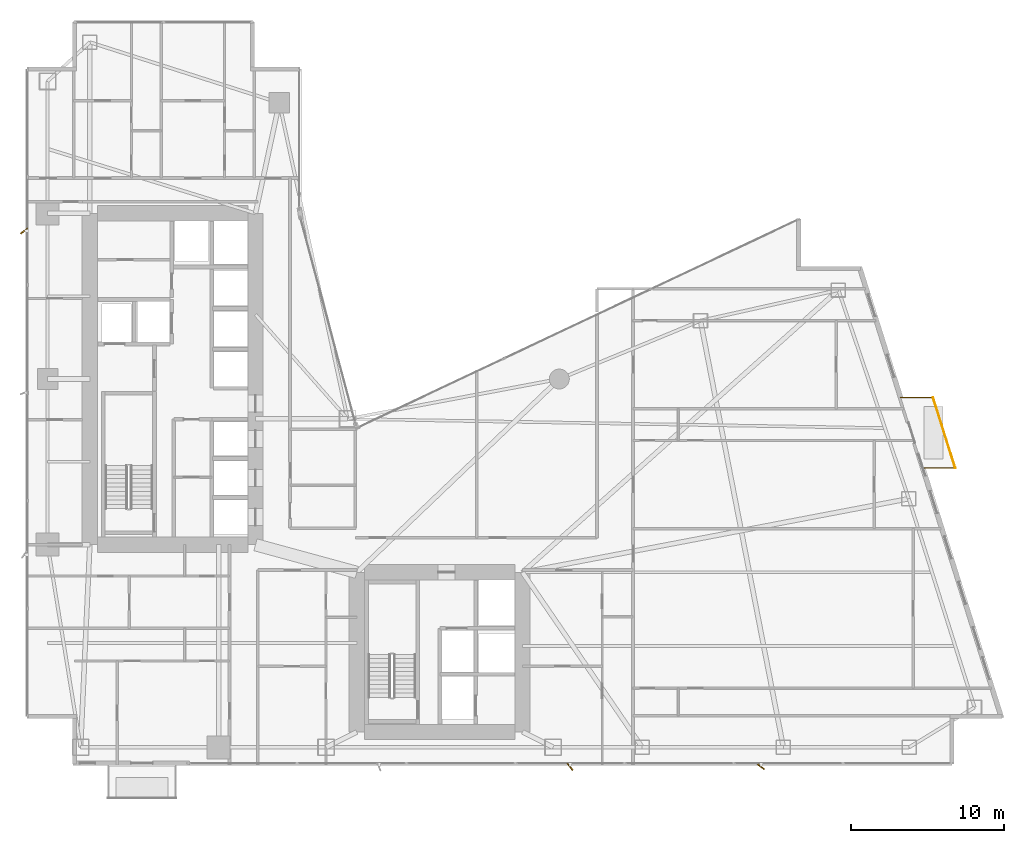
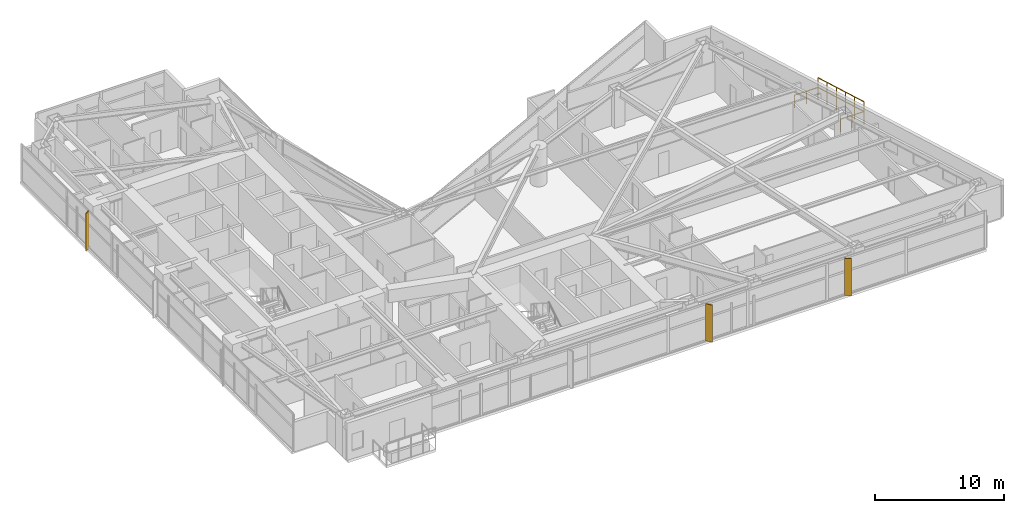
# One storey, part 28 of 28: 3 shading devices, 2 railings.
"""IFC4 building model written with IfcOpenShell, lengths in metres."""

import ifcopenshell
import ifcopenshell.guid

model = None  # the IFC model being written
_history = None  # IfcOwnerHistory: only IFC2X3 demands one
_inside = {}  # id of a spatial element -> (the spatial element, [elements in it])
_under = {}  # id of a project, library or spatial element -> (it, [spatial elements below it])
_declared = {}  # id of a project -> (the project, [libraries it declares])
_typed = {}  # id of a type object -> (the type object, [elements of that type])
_made_of = {}  # id of a material, layer set ... -> (it, [elements and type objects made of it])


def new_model(schema):
    """Start an empty IFC model of exactly this schema.

    Asked for "IFC4X3", IfcOpenShell would pick the latest addendum, in which some entities
    have other attributes; the version numbers below select the first issue.
    IFC2X3 requires an IfcOwnerHistory on every rooted entity: one is made here for all.
    """
    global model, _history
    if schema == "IFC4X3":
        model = ifcopenshell.file(schema_version=(4, 3, 0, 0))
    else:
        model = ifcopenshell.file(schema=schema)
    _inside.clear()
    _under.clear()
    _declared.clear()
    _typed.clear()
    _made_of.clear()
    _history = None
    if model.schema == "IFC2X3":
        org = make("IfcOrganization", Name="unknown")
        user = make(
            "IfcPersonAndOrganization",
            ThePerson=make("IfcPerson", FamilyName="unknown"),
            TheOrganization=org,
        )
        app = make(
            "IfcApplication",
            ApplicationDeveloper=org,
            Version="unknown",
            ApplicationFullName="unknown",
            ApplicationIdentifier="unknown",
        )
        _history = make(
            "IfcOwnerHistory",
            OwningUser=user,
            OwningApplication=app,
            ChangeAction="ADDED",
            CreationDate=0,
        )
    return model


def make(cls, **values):
    """One entity of the class cls with the attributes given. An attribute that is None is left unset."""
    return model.create_entity(
        cls, **{name: value for name, value in values.items() if value is not None}
    )


def rooted(cls, **values):
    """An entity with a GlobalId (a new one), such as an element, a storey or a relation."""
    return make(cls, GlobalId=ifcopenshell.guid.new(), OwnerHistory=_history, **values)


def si_unit(unit_type, name, prefix=None):
    """IfcSIUnit, for example si_unit("LENGTHUNIT", "METRE", prefix="MILLI")."""
    return make("IfcSIUnit", UnitType=unit_type, Prefix=prefix, Name=name)


def assignment(units):
    """IfcUnitAssignment: the units of a project."""
    return None if units is None else make("IfcUnitAssignment", Units=units)


def point(xyz):
    """IfcCartesianPoint."""
    return None if xyz is None else make("IfcCartesianPoint", Coordinates=xyz)


def direction(xyz):
    """IfcDirection."""
    return None if xyz is None else make("IfcDirection", DirectionRatios=xyz)


def frame(location, z_axis=None, x_axis=None):
    """IfcAxis2Placement3D, a coordinate frame: its origin and axes. An axis left out is left unset."""
    return make(
        "IfcAxis2Placement3D",
        Location=point(location),
        Axis=direction(z_axis),
        RefDirection=direction(x_axis),
    )


def frame_2d(location, x_axis=None):
    """IfcAxis2Placement2D, a coordinate frame in the plane: its origin and x axis."""
    return make(
        "IfcAxis2Placement2D", Location=point(location), RefDirection=direction(x_axis)
    )


def origin():
    """The frame at (0, 0, 0) with its axes left unset."""
    return frame((0.0, 0.0, 0.0))


def origin_2d():
    """The frame at (0, 0) in the plane with its x axis left unset."""
    return frame_2d((0.0, 0.0))


def place(relative_to, where):
    """IfcLocalPlacement: puts the frame where relative to a parent placement (None: the world)."""
    return make(
        "IfcLocalPlacement", PlacementRelTo=relative_to, RelativePlacement=where
    )


def context(
    kind, dimensions, precision=None, world=None, true_north=None, identifier=None
):
    """IfcGeometricRepresentationContext, for example the 3D "Model" context."""
    return make(
        "IfcGeometricRepresentationContext",
        ContextIdentifier=identifier,
        ContextType=kind,
        CoordinateSpaceDimension=dimensions,
        Precision=precision,
        WorldCoordinateSystem=world,
        TrueNorth=true_north,
    )


def subcontext(parent, identifier, kind, view, scale=None):
    """IfcGeometricRepresentationSubContext, for example "Body" below "Model"."""
    return make(
        "IfcGeometricRepresentationSubContext",
        ContextIdentifier=identifier,
        ContextType=kind,
        ParentContext=parent,
        TargetScale=scale,
        TargetView=view,
    )


def project(units=None, contexts=None):
    """IfcProject with its units and contexts."""
    return rooted(
        "IfcProject",
        Name="project",
        RepresentationContexts=contexts,
        UnitsInContext=assignment(units),
    )


def spatial(cls, under=None, at=None, **own):
    """A site, building, storey or space (cls), placed at a placement, below another one or the project."""
    s = rooted(cls, ObjectPlacement=at, **own)
    if under is not None:
        _under.setdefault(under.id(), (under, []))[1].append(s)
    return s


def profile(cls, at=None, kind="AREA", **sizes):
    """A parametric profile (cls). Its sizes go by their IFC names, for example OverallWidth=200.0."""
    return make(cls, ProfileType=kind, Position=at, **sizes)


def rectangle(**sizes):
    """IfcRectangleProfileDef."""
    return profile("IfcRectangleProfileDef", **sizes)


def circle(**sizes):
    """IfcCircleProfileDef."""
    return profile("IfcCircleProfileDef", **sizes)


def extrude(swept, where, along, depth):
    """IfcExtrudedAreaSolid: the profile swept, set in the frame where, extruded along a direction by depth."""
    return make(
        "IfcExtrudedAreaSolid",
        SweptArea=swept,
        Position=where,
        ExtrudedDirection=direction(along),
        Depth=depth,
    )


def shape(context_of_items, identifier, shape_type, items):
    """IfcShapeRepresentation: the items that make up one representation, for example the "Body"."""
    return make(
        "IfcShapeRepresentation",
        ContextOfItems=context_of_items,
        RepresentationIdentifier=identifier,
        RepresentationType=shape_type,
        Items=items,
    )


def material(Name=None, Category=None):
    """IfcMaterial."""
    return make("IfcMaterial", Name=Name, Category=Category)


def made_of(thing, what):
    """Note that an element or type object is made of a material, layer set ...; save() writes the relation."""
    if what is not None:
        _made_of.setdefault(what.id(), (what, []))[1].append(thing)
    return thing


def type_object(cls, material=None, **own):
    """A type object (cls), such as IfcWallType, which elements share."""
    return made_of(rooted(cls, **own), material)


def element(
    cls,
    number,
    at=None,
    inside=None,
    cuts=None,
    type_object=None,
    material=None,
    context=None,
    identifier="Body",
    shape_type=None,
    held_by="IfcProductDefinitionShape",
    body=None,
    shapes=None,
    **own,
):
    """One element of the class cls, such as IfcWall. Its Tag is "e" and its number.

    at: its placement. inside: the storey or other place that contains it. cuts: it is an
    opening in that element (IfcRelVoidsElement). A single representation is given by context,
    identifier, shape_type and body (its items); several are given by shapes. held_by: the class
    of the entity that holds the representations. save() writes the other relations.
    """
    e = rooted(cls, Tag="e%d" % number, ObjectPlacement=at, **own)
    if body is not None:
        shapes = [shape(context, identifier, shape_type, body)]
    if shapes is not None:
        e.Representation = make(held_by, Representations=shapes)
    if inside is not None:
        _inside.setdefault(inside.id(), (inside, []))[1].append(e)
    if cuts is not None:
        rooted(
            "IfcRelVoidsElement", RelatingBuildingElement=cuts, RelatedOpeningElement=e
        )
    if type_object is not None:
        _typed.setdefault(type_object.id(), (type_object, []))[1].append(e)
    return made_of(e, material)


def aggregate(whole, parts):
    """IfcRelAggregates: a whole, such as a stair, and the parts it consists of."""
    return rooted("IfcRelAggregates", RelatingObject=whole, RelatedObjects=parts)


def save(model, path):
    """Write the relations noted so far, then the file.

    IfcRelAggregates (storeys below a building ...), IfcRelContainedInSpatialStructure (elements
    in a storey), IfcRelDefinesByType, IfcRelAssociatesMaterial and IfcRelDeclares: one each for
    every whole, place, type object, material and project.
    """
    for whole, parts in _under.values():
        aggregate(whole, parts)
    for where, things in _inside.values():
        rooted(
            "IfcRelContainedInSpatialStructure",
            RelatedElements=things,
            RelatingStructure=where,
        )
    for kind, things in _typed.values():
        rooted("IfcRelDefinesByType", RelatedObjects=things, RelatingType=kind)
    for what, things in _made_of.values():
        rooted("IfcRelAssociatesMaterial", RelatedObjects=things, RelatingMaterial=what)
    for by, libraries in _declared.values():
        rooted("IfcRelDeclares", RelatingContext=by, RelatedDefinitions=libraries)
    model.write(path)


model = new_model("IFC4")

# Units and contexts
model_context = context("Model", 3, precision=1e-05, world=origin(), true_north=direction((0.0, 1.0)))
body_context = subcontext(model_context, "Body", "Model", "MODEL_VIEW")
ifc_project = project(units=[si_unit("LENGTHUNIT", "METRE"), si_unit("AREAUNIT", "SQUARE_METRE"), si_unit("VOLUMEUNIT", "CUBIC_METRE"), si_unit("PLANEANGLEUNIT", "RADIAN"), si_unit("MASSUNIT", "GRAM", prefix="KILO")], contexts=[model_context])

# Site, building, storey
site_placement = place(None, origin())
site = spatial("IfcSite", under=ifc_project, at=site_placement, CompositionType="ELEMENT")
building_placement = place(site_placement, origin())
building = spatial("IfcBuilding", under=site, at=building_placement, Name="Calvorn Quay Hotel", CompositionType="ELEMENT")
storey_placement = place(building_placement, frame((0.0, 0.0, 42.199951171875)))
storey = spatial("IfcBuildingStorey", under=building, at=storey_placement, Name="L09", CompositionType="ELEMENT", Elevation=42.199951171875)

# Railings
ifc_material_1 = material(Name="Pale Anodised Aluminium and Laminated Glass", Category="aluminium")
railing_type = type_object("IfcRailingType", Name="RLG-BALUSTRADE-1200", PredefinedType="BALUSTRADE", material=ifc_material_1)
railing_1_placement = place(storey_placement, frame((58.506103515625, 21.800048828125, 0.0)))
element("IfcRailing", 1, at=railing_1_placement, inside=storey, type_object=railing_type, Name="Tree Balcony Perimeter Balustrade L09-BALC-E", PredefinedType="BALUSTRADE", context=body_context, shape_type="SweptSolid", body=[
    extrude(circle(Radius=0.02392578125, at=origin_2d()), frame((0.0, 0.0, 1.17578125), z_axis=(1.0, 0.0, 0.0), x_axis=(0.0, 1.0, 0.0)), (0.0, 0.0, 1.0), 2.099853515625),
    extrude(circle(Radius=0.02392578125, at=origin_2d()), frame((2.099853515625, 0.0, 1.17578125), z_axis=(-0.300450487966, 0.953797412599, 0.0), x_axis=(-0.953797412599, -0.300450487966, 0.0)), (0.0, 0.0, 1.0), 4.82275390625),
    extrude(circle(Radius=0.02392578125, at=origin_2d()), frame((0.65087890625, 4.599853515625, 1.17578125), z_axis=(-1.0, 0.0, 0.0), x_axis=(0.0, -1.0, 0.0)), (0.0, 0.0, 1.0), 2.10009765625),
    extrude(circle(Radius=0.02099609375, at=origin_2d()), origin(), (0.0, 0.0, 1.0), 1.15185546875),
    extrude(circle(Radius=0.02099609375, at=origin_2d()), frame((1.0498046875, 0.0, 0.0)), (0.0, 0.0, 1.0), 1.15185546875),
    extrude(circle(Radius=0.02099609375, at=origin_2d()), frame((2.099853515625, 0.0, 0.0)), (0.0, 0.0, 1.0), 1.15185546875),
    extrude(circle(Radius=0.02099609375, at=origin_2d()), frame((1.81005859375, 0.919921875, 0.0)), (0.0, 0.0, 1.0), 1.15185546875),
    extrude(circle(Radius=0.02099609375, at=origin_2d()), frame((1.520263671875, 1.83984375, 0.0)), (0.0, 0.0, 1.0), 1.15185546875),
    extrude(circle(Radius=0.02099609375, at=origin_2d()), frame((1.23046875, 2.760009765625, 0.0)), (0.0, 0.0, 1.0), 1.15185546875),
    extrude(circle(Radius=0.02099609375, at=origin_2d()), frame((0.940673828125, 3.679931640625, 0.0)), (0.0, 0.0, 1.0), 1.15185546875),
    extrude(circle(Radius=0.02099609375, at=origin_2d()), frame((0.65087890625, 4.599853515625, 0.0)), (0.0, 0.0, 1.0), 1.15185546875),
    extrude(circle(Radius=0.02099609375, at=origin_2d()), frame((-0.399169921875, 4.599853515625, 0.0)), (0.0, 0.0, 1.0), 1.15185546875),
    extrude(circle(Radius=0.02099609375, at=origin_2d()), frame((-1.44921875, 4.599853515625, 0.0)), (0.0, 0.0, 1.0), 1.15185546875),
])
railing_2_placement = place(storey_placement, frame((60.60595703125, 21.800048828125, 0.900146484375)))
element("IfcRailing", 2, at=railing_2_placement, inside=storey, type_object=railing_type, Name="Planter Kerb High Safety Screen L09-BALC-E", PredefinedType="BALUSTRADE", context=body_context, shape_type="SweptSolid", body=[
    extrude(circle(Radius=0.02392578125, at=origin_2d()), frame((0.0, 0.0, 1.19580078125), z_axis=(-0.300450487966, 0.953797412599, 0.0), x_axis=(-0.953797412599, -0.300450487966, 0.0)), (0.0, 0.0, 1.0), 4.82275390625),
    extrude(circle(Radius=0.02099609375, at=origin_2d()), origin(), (0.0, 0.0, 1.0), 1.171875),
    extrude(circle(Radius=0.02099609375, at=origin_2d()), frame((-0.289794921875, 0.919921875, 0.0)), (0.0, 0.0, 1.0), 1.171875),
    extrude(circle(Radius=0.02099609375, at=origin_2d()), frame((-0.57958984375, 1.83984375, 0.0)), (0.0, 0.0, 1.0), 1.171875),
    extrude(circle(Radius=0.02099609375, at=origin_2d()), frame((-0.869384765625, 2.760009765625, 0.0)), (0.0, 0.0, 1.0), 1.171875),
    extrude(circle(Radius=0.02099609375, at=origin_2d()), frame((-1.1591796875, 3.679931640625, 0.0)), (0.0, 0.0, 1.0), 1.171875),
    extrude(circle(Radius=0.02099609375, at=origin_2d()), frame((-1.448974609375, 4.599853515625, 0.0)), (0.0, 0.0, 1.0), 1.171875),
])

# Shading devices
ifc_material_2 = material(Name="Champagne Bronze Anodised Aluminium 6063-T6", Category="aluminium")
shading_device_type_1 = type_object("IfcShadingDeviceType", Name="SHD-FIN-A2", PredefinedType="USERDEFINED", material=ifc_material_2)
for number, where, z_axis, x_axis, name in (
    (3, (-0.080078125, 37.25, 0.0), (0.0, 0.0, 1.0), (0.788010753607, 0.615661475326, 0.0), "Diagonal Sun-Shading Fin L09-W03"),
    (4, (35.5, 2.320068359375, 0.0), (0.0, 0.0, 1.0), (-0.615661475326, 0.788010753607, 0.0), "Diagonal Sun-Shading Fin L09-S02"),
):
    element("IfcShadingDevice", number, at=place(storey_placement, frame(where, z_axis=z_axis, x_axis=x_axis)), inside=storey, type_object=shading_device_type_1, Name=name, ObjectType="FIN", PredefinedType="USERDEFINED", context=body_context, shape_type="SweptSolid", body=[
        extrude(rectangle(XDim=0.550048828125, YDim=0.080078125, at=origin_2d()), origin(), (0.0, 0.0, 1.0), 3.52001953125),
    ])
ifc_material_3 = material(Name="Champagne Bronze Anodised Aluminium 6063-T6", Category="aluminium")
shading_device_type_2 = type_object("IfcShadingDeviceType", Name="SHD-FIN-A3", PredefinedType="USERDEFINED", material=ifc_material_3)
shading_device_placement = place(storey_placement, frame((47.949951171875, 2.320068359375, 0.0), z_axis=(0.0, 0.0, 1.0), x_axis=(-0.809016994375, 0.587785252292, 0.0)))
element("IfcShadingDevice", 5, at=shading_device_placement, inside=storey, type_object=shading_device_type_2, Name="Diagonal Sun-Shading Fin L09-S03", ObjectType="FIN", PredefinedType="USERDEFINED", context=body_context, shape_type="SweptSolid", body=[
    extrude(rectangle(XDim=0.550048828125, YDim=0.080078125, at=origin_2d()), origin(), (0.0, 0.0, 1.0), 3.52001953125),
])

save(model, "model.ifc")
